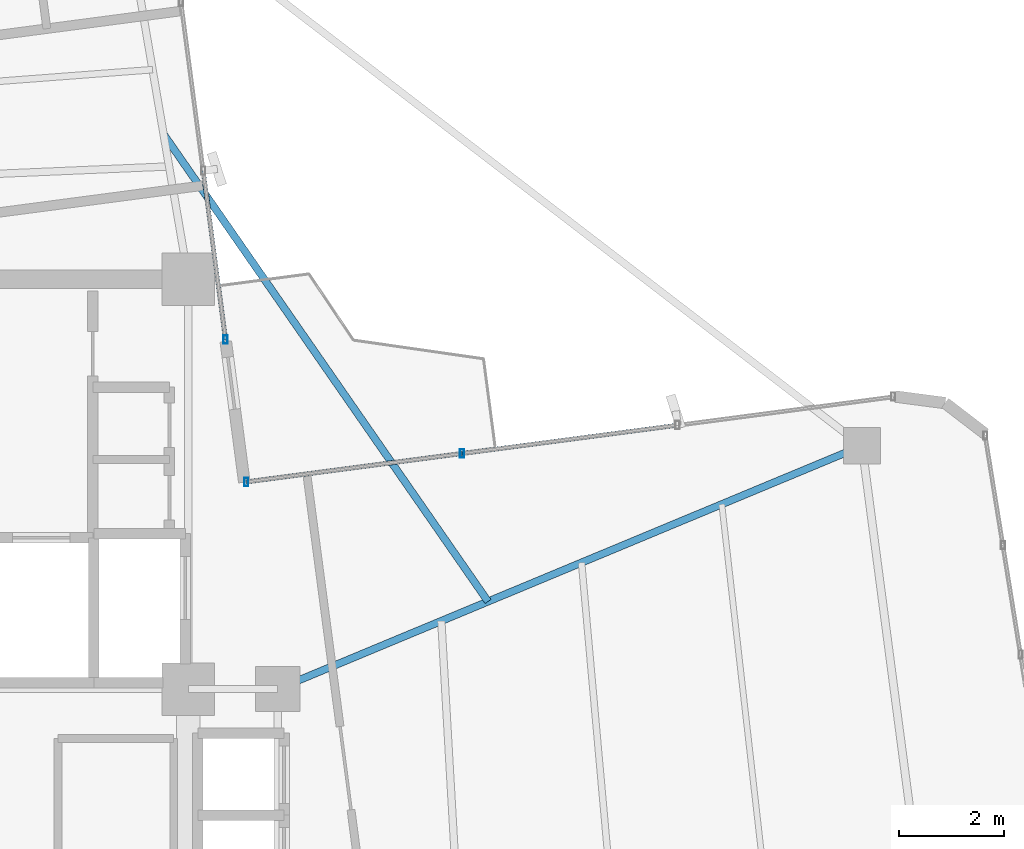
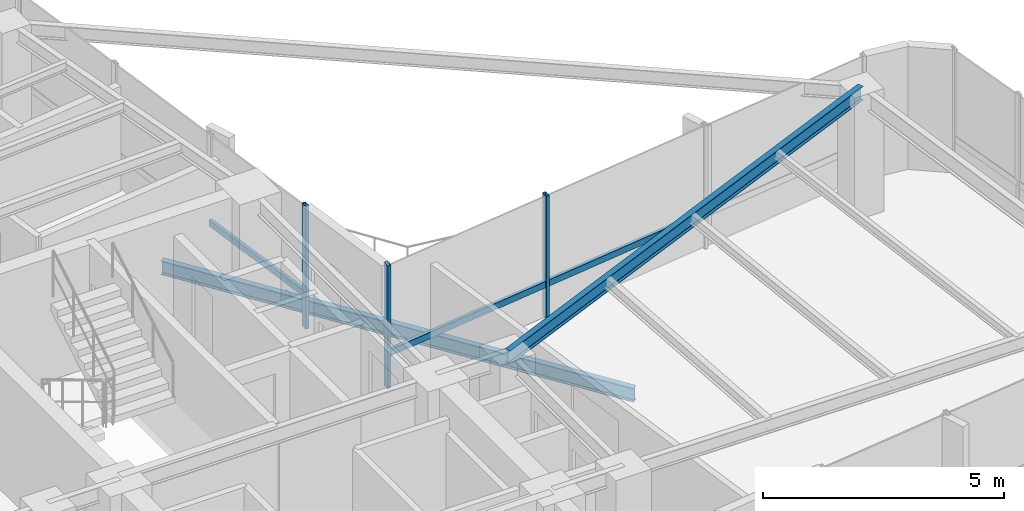
# One storey, part 10 of 21: 6 members, 2 beams, 2 elements without a shape of their own.
"""IFC4 building model written with IfcOpenShell, lengths in metres."""

from ifc_helpers import new_model, si_unit, direction, frame, origin, origin_2d, place, context, subcontext, project, spatial, hollow_rectangle, i_section, extrude, source, transform, mapped, material, material_profile, profile_set, type_object, element, aggregate, save


model = new_model("IFC4")

# Units and contexts
model_context = context("Model", 3, precision=1e-05, world=origin(), true_north=direction((0.0, 1.0)))
body_context = subcontext(model_context, "Body", "Model", "MODEL_VIEW")
ifc_project = project(units=[si_unit("LENGTHUNIT", "METRE"), si_unit("AREAUNIT", "SQUARE_METRE"), si_unit("VOLUMEUNIT", "CUBIC_METRE"), si_unit("PLANEANGLEUNIT", "RADIAN"), si_unit("MASSUNIT", "GRAM", prefix="KILO")], contexts=[model_context])

# Site, building, storey
site_placement = place(None, origin())
site = spatial("IfcSite", under=ifc_project, at=site_placement, CompositionType="ELEMENT")
building_placement = place(site_placement, origin())
building = spatial("IfcBuilding", under=site, at=building_placement, Name="Sahyath Konkavel Grand Hotel", CompositionType="ELEMENT")
storey_placement = place(building_placement, frame((0.0, 0.0, 213.199951171875)))
storey = spatial("IfcBuildingStorey", under=building, at=storey_placement, Name="L59", CompositionType="ELEMENT", Elevation=213.199951171875)

# Beam
ifc_material_1 = material(Name="Steel E350", Category="steel")
ifc_material_profile_1 = material_profile(ifc_material_1, i_section(OverallWidth=0.139892578125, OverallDepth=0.35009765625, WebThickness=0.008056640625, FlangeThickness=0.01416015625, FilletRadius=0.013916015625, at=origin_2d()), Name="ISMB 350")
ifc_profile_set_1 = profile_set([ifc_material_profile_1], Name="Steel E350")
beam_type_1 = type_object("IfcBeamType", Name="BM-ISMB350", PredefinedType="BEAM", material=ifc_profile_set_1)
shared_shape_1 = source(origin(), body_context, "Body", "SweptSolid", [
    extrude(i_section(OverallWidth=0.139892578125, OverallDepth=0.35009765625, WebThickness=0.008056640625, FlangeThickness=0.01416015625, FilletRadius=0.013916015625, at=origin_2d()), origin(), (0.0, 0.0, 1.0), 12.049560546875),
])
beam_1_placement = place(storey_placement, frame((5.5, 2.39990234375, 2.93505859375), z_axis=(0.923226714744, 0.384255687248, 0.0), x_axis=(-0.384255687248, 0.923226714744, 0.0)))
element("IfcBeam", 1, at=beam_1_placement, inside=storey, type_object=beam_type_1, Name="L59 Cruciform Radial Girder EB", PredefinedType="BEAM", context=body_context, shape_type="MappedRepresentation", body=[
    mapped(shared_shape_1, transform((0.0, 0.0, 0.0), scale=1.0)),
])

# Curtain wall, members
ifc_material_2 = material(Name="Anodised Bronze Aluminium & Low-E Glazing", Category="aluminium")
curtain_wall_type = type_object("IfcCurtainWallType", Name="CW-ZONE4", PredefinedType="NOTDEFINED", material=ifc_material_2)
curtain_wall_1_placement = place(storey_placement, origin())
curtain_wall_1 = element("IfcCurtainWall", 2, at=curtain_wall_1_placement, inside=storey, type_object=curtain_wall_type, Name="L59 Unitised Curtain Wall F7", PredefinedType="NOTDEFINED")
ifc_material_3 = material(Name="Anodised Bronze Aluminium", Category="aluminium")
ifc_material_profile_2 = material_profile(ifc_material_3, hollow_rectangle(XDim=0.080078125, YDim=0.159912109375, WallThickness=0.006103515625, at=origin_2d()), Name="RHS 160x80x6")
ifc_profile_set_2 = profile_set([ifc_material_profile_2], Name="Anodised Bronze Aluminium")
member_type_1 = type_object("IfcMemberType", Name="CW-MUL-160", PredefinedType="MULLION", material=ifc_profile_set_2)
shared_shape_2 = source(origin(), body_context, "Body", "SweptSolid", [
    extrude(hollow_rectangle(XDim=0.080078125, YDim=0.159912109375, WallThickness=0.006103515625, at=origin_2d()), origin(), (0.0, 0.0, 1.0), 3.110107421875),
])
member_1_placement = place(storey_placement, frame((9.008544921875, 6.884765625, 0.0), z_axis=(0.0, 0.0, 1.0), x_axis=(1.0, 0.0, 0.0)))
member_1 = element("IfcMember", 3, at=member_1_placement, type_object=member_type_1, Name="L59 Curtain Wall Mullion F7-2", PredefinedType="MULLION", context=body_context, shape_type="MappedRepresentation", body=[
    mapped(shared_shape_2, transform((0.0, 0.0, 0.0), scale=1.0)),
])
member_2_placement = place(storey_placement, frame((4.90380859375, 6.34423828125, 0.0), z_axis=(0.0, 0.0, 1.0), x_axis=(1.0, 0.0, 0.0)))
member_2 = element("IfcMember", 4, at=member_2_placement, type_object=member_type_1, Name="L59 Curtain Wall Mullion F7-3", PredefinedType="MULLION", context=body_context, shape_type="MappedRepresentation", body=[
    mapped(shared_shape_2, transform((0.0, 0.0, 0.0), scale=1.0)),
])

curtain_wall_2_placement = place(storey_placement, origin())
curtain_wall_2 = element("IfcCurtainWall", 5, at=curtain_wall_2_placement, inside=storey, type_object=curtain_wall_type, Name="L59 Unitised Curtain Wall F8", PredefinedType="NOTDEFINED")
member_3_placement = place(storey_placement, frame((4.506591796875, 9.0556640625, 0.0), z_axis=(0.0, 0.0, 1.0), x_axis=(1.0, 0.0, 0.0)))
member_3 = element("IfcMember", 6, at=member_3_placement, type_object=member_type_1, Name="L59 Curtain Wall Mullion F8-0", PredefinedType="MULLION", context=body_context, shape_type="MappedRepresentation", body=[
    mapped(shared_shape_2, transform((0.0, 0.0, 0.0), scale=1.0)),
])
ifc_material_profile_3 = material_profile(ifc_material_3, hollow_rectangle(XDim=0.080078125, YDim=0.159912109375, WallThickness=0.006103515625, at=origin_2d()), Name="RHS 160x80x6")
ifc_profile_set_3 = profile_set([ifc_material_profile_3], Name="Anodised Bronze Aluminium")
member_type_2 = type_object("IfcMemberType", Name="CW-TRN-160", PredefinedType="USERDEFINED", material=ifc_profile_set_3)
shared_shape_3 = source(origin(), body_context, "Body", "SweptSolid", [
    extrude(hollow_rectangle(XDim=0.080078125, YDim=0.159912109375, WallThickness=0.006103515625, at=origin_2d()), origin(), (0.0, 0.0, 1.0), 3.240234375),
])
member_4_placement = place(storey_placement, frame((4.506591796875, 9.0556640625, 0.85009765625), z_axis=(-0.130505189885, 0.991447626157, 0.0), x_axis=(-0.991447626157, -0.130505189885, 0.0)))
member_4 = element("IfcMember", 7, at=member_4_placement, type_object=member_type_2, Name="L59 Curtain Wall Transom F8-0-spandrel", ObjectType="TRANSOM", PredefinedType="USERDEFINED", context=body_context, shape_type="MappedRepresentation", body=[
    mapped(shared_shape_3, transform((0.0, 0.0, 0.0), scale=1.0)),
])
aggregate(curtain_wall_2, [member_3, member_4])

# Member
shared_shape_4 = source(origin(), body_context, "Body", "SweptSolid", [
    extrude(hollow_rectangle(XDim=0.080078125, YDim=0.159912109375, WallThickness=0.006103515625, at=origin_2d()), origin(), (0.0, 0.0, 1.0), 4.139892578125),
])
member_5_placement = place(storey_placement, frame((13.113037109375, 7.425048828125, 0.85009765625), z_axis=(-0.991447469582, -0.130506379383, 0.0), x_axis=(0.130506379383, -0.991447469582, 0.0)))
member_5 = element("IfcMember", 8, at=member_5_placement, type_object=member_type_2, Name="L59 Curtain Wall Transom F7-1-spandrel", ObjectType="TRANSOM", PredefinedType="USERDEFINED", context=body_context, shape_type="MappedRepresentation", body=[
    mapped(shared_shape_4, transform((0.0, 0.0, 0.0), scale=1.0)),
])

shared_shape_5 = source(origin(), body_context, "Body", "SweptSolid", [
    extrude(hollow_rectangle(XDim=0.080078125, YDim=0.159912109375, WallThickness=0.006103515625, at=origin_2d()), origin(), (0.0, 0.0, 1.0), 4.14013671875),
])
member_6_placement = place(storey_placement, frame((9.008544921875, 6.884765625, 0.85009765625), z_axis=(-0.99144084268, -0.130556713596, 0.0), x_axis=(0.130556713596, -0.99144084268, 0.0)))
member_6 = element("IfcMember", 9, at=member_6_placement, type_object=member_type_2, Name="L59 Curtain Wall Transom F7-2-spandrel", ObjectType="TRANSOM", PredefinedType="USERDEFINED", context=body_context, shape_type="MappedRepresentation", body=[
    mapped(shared_shape_5, transform((0.0, 0.0, 0.0), scale=1.0)),
])

aggregate(curtain_wall_1, [member_1, member_2, member_5, member_6])

# Beam
ifc_material_profile_4 = material_profile(ifc_material_1, i_section(OverallWidth=0.139892578125, OverallDepth=0.35009765625, WebThickness=0.008056640625, FlangeThickness=0.01416015625, FilletRadius=0.013916015625, at=origin_2d()), Name="ISMB 350")
ifc_profile_set_4 = profile_set([ifc_material_profile_4], Name="Steel E350")
beam_type_2 = type_object("IfcBeamType", Name="BM-BALC-CANT", PredefinedType="BEAM", material=ifc_profile_set_4)
shared_shape_6 = source(origin(), body_context, "Body", "SweptSolid", [
    extrude(i_section(OverallWidth=0.139892578125, OverallDepth=0.35009765625, WebThickness=0.008056640625, FlangeThickness=0.01416015625, FilletRadius=0.013916015625, at=origin_2d()), origin(), (0.0, 0.0, 1.0), 10.831298828125),
])
beam_2_placement = place(storey_placement, frame((9.5048828125, 4.06689453125, -0.4150390625), z_axis=(-0.570310057725, 0.821429508879, 0.0), x_axis=(-0.821429508879, -0.570310057725, 0.0)))
element("IfcBeam", 10, at=beam_2_placement, inside=storey, type_object=beam_type_2, Name="L59 Balcony Cantilever Support Beam NE", PredefinedType="BEAM", context=body_context, shape_type="MappedRepresentation", body=[
    mapped(shared_shape_6, transform((0.0, 0.0, 0.0), scale=1.0)),
])

save(model, "model.ifc")
